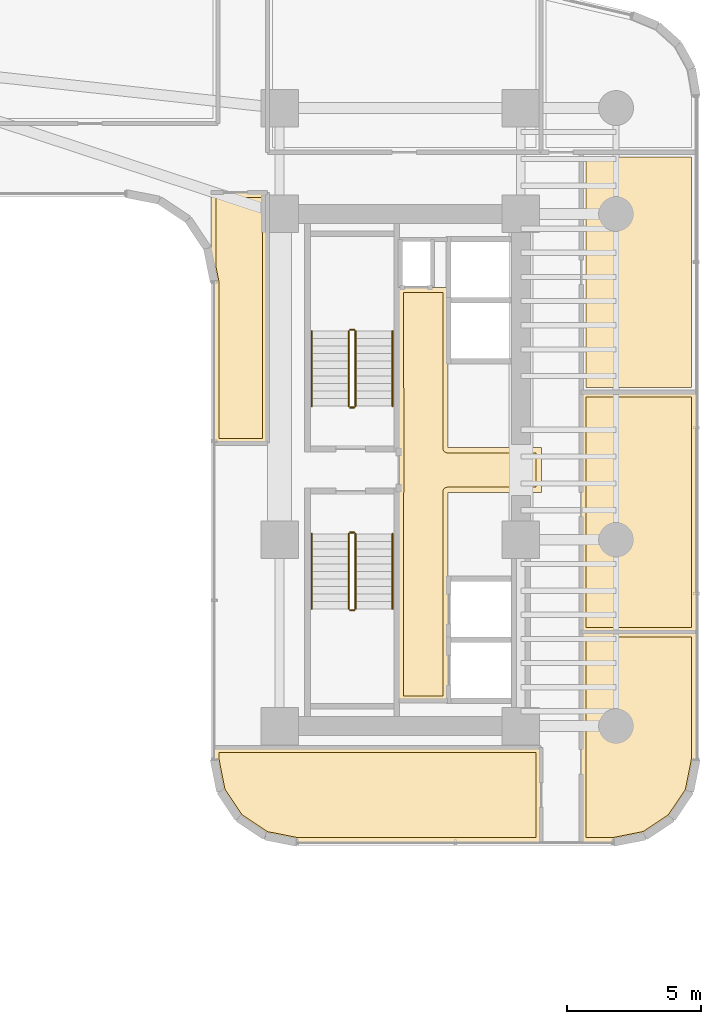
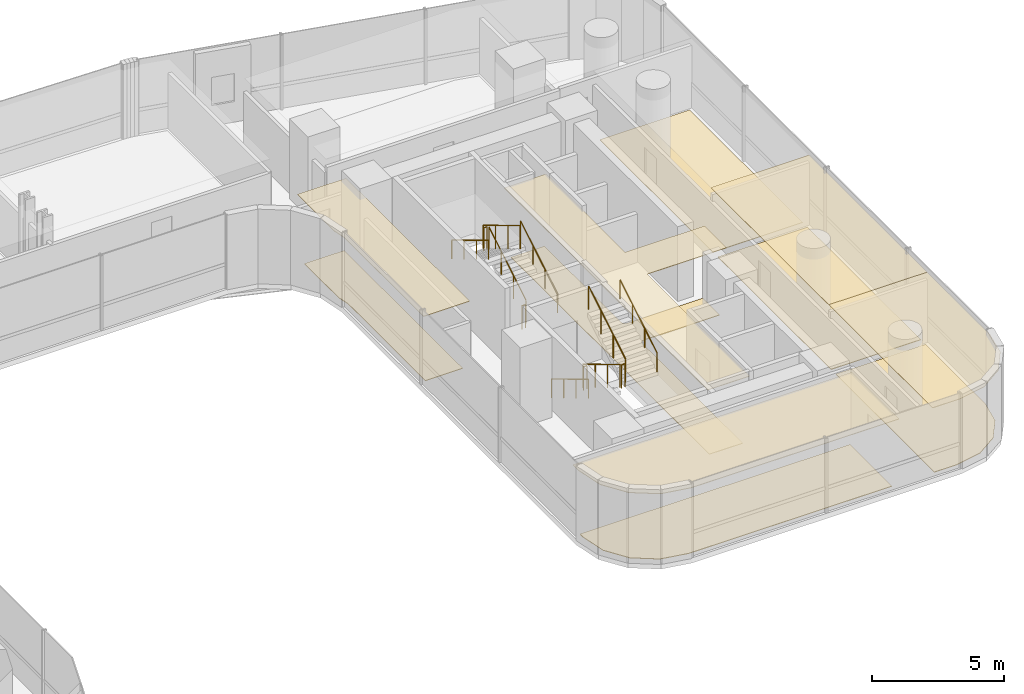
# One storey, part 37 of 38: 12 railings, 11 coverings.
"""IFC4 building model written with IfcOpenShell, lengths in metres."""

from ifc_helpers import new_model, si_unit, direction, frame, origin, origin_2d, place, context, subcontext, project, spatial, polyline, circle, outline, extrude, material, layer, layer_set, type_object, element, save


model = new_model("IFC4")

# Units and contexts
model_context = context("Model", 3, precision=1e-05, world=origin(), true_north=direction((0.0, 1.0)))
body_context = subcontext(model_context, "Body", "Model", "MODEL_VIEW")
ifc_project = project(units=[si_unit("LENGTHUNIT", "METRE"), si_unit("AREAUNIT", "SQUARE_METRE"), si_unit("VOLUMEUNIT", "CUBIC_METRE"), si_unit("PLANEANGLEUNIT", "RADIAN"), si_unit("MASSUNIT", "GRAM", prefix="KILO")], contexts=[model_context])

# Site, building, storey
site_placement = place(None, origin())
site = spatial("IfcSite", under=ifc_project, at=site_placement, CompositionType="ELEMENT")
building_placement = place(site_placement, origin())
building = spatial("IfcBuilding", under=site, at=building_placement, Name="Valdorenza Pilgrim Sanctuary Tower", CompositionType="ELEMENT")
storey_placement = place(building_placement, frame((0.0, 0.0, 37.10009765625)))
storey = spatial("IfcBuildingStorey", under=building, at=storey_placement, Name="L08", CompositionType="ELEMENT", Elevation=37.10009765625)

# Coverings
ifc_material_1 = material(Name="Micro-perforated acoustic mineral ceiling tile", Category="gypsum")
ifc_layer_1 = layer(ifc_material_1, 0.02490234375, Name="Micro-perforated acoustic mineral ceiling tile")
ifc_layer_set_1 = layer_set([ifc_layer_1], Name="Micro-perforated acoustic mineral ceiling tile")
covering_type_1 = type_object("IfcCoveringType", Name="COV-CLG-ACU", PredefinedType="CEILING", material=ifc_layer_set_1)
covering_1_placement = place(storey_placement, frame((0.0, 0.0, 3.159912109375)))
element("IfcCovering", 1, at=covering_1_placement, inside=storey, type_object=covering_type_1, Name="L08 Core B Passenger Lift Lobby Acoustic Ceiling", PredefinedType="CEILING", context=body_context, shape_type="SweptSolid", body=[
    extrude(outline(polyline([(20.287109375, -0.814697265625), (20.287109375, 0.814697265625), (20.28662109375, 0.815185546875), (20.2861328125, 0.81640625), (20.28564453125, 0.81787109375), (20.285400390625, 0.819091796875), (20.28515625, 0.820556640625), (20.284912109375, 0.822021484375), (20.284912109375, 6.800048828125), (20.28515625, 6.801513671875), (20.285400390625, 6.802978515625), (20.28564453125, 6.804443359375), (20.2861328125, 6.8056640625), (20.286865234375, 6.80712890625), (20.28759765625, 6.808349609375), (20.288330078125, 6.8095703125), (20.289306640625, 6.810546875), (20.29052734375, 6.8115234375), (20.291748046875, 6.8125), (20.29296875, 6.813232421875), (20.294189453125, 6.81396484375), (20.295654296875, 6.814453125), (20.297119140625, 6.814697265625), (20.298583984375, 6.81494140625), (20.300048828125, 6.81494140625), (20.347900390625, 6.81494140625), (20.349365234375, 6.81494140625), (20.350830078125, 6.814697265625), (20.352294921875, 6.814453125), (20.353515625, 6.81396484375), (20.35498046875, 6.813232421875), (20.35546875, 6.81298828125), (21.544677734375, 6.81298828125), (21.545166015625, 6.813232421875), (21.54638671875, 6.81396484375), (21.5478515625, 6.814453125), (21.54931640625, 6.814697265625), (21.550537109375, 6.81494140625), (21.552001953125, 6.81494140625), (22.1201171875, 6.81494140625), (22.12158203125, 6.81494140625), (22.122802734375, 6.814697265625), (22.12451171875, 6.814453125), (22.125732421875, 6.81396484375), (22.127197265625, 6.813232421875), (22.12841796875, 6.8125), (22.12939453125, 6.8115234375), (22.130615234375, 6.810546875), (22.131591796875, 6.8095703125), (22.132568359375, 6.808349609375), (22.13330078125, 6.80712890625), (22.1337890625, 6.8056640625), (22.134521484375, 6.804443359375), (22.134765625, 6.802978515625), (22.135009765625, 6.801513671875), (22.135009765625, 6.800048828125), (22.135009765625, 0.8349609375), (25.60009765625, 0.8349609375), (25.6015625, 0.8349609375), (25.602783203125, 0.834716796875), (25.6044921875, 0.83447265625), (25.605712890625, 0.833984375), (25.607177734375, 0.833251953125), (25.6083984375, 0.83251953125), (25.609619140625, 0.83154296875), (25.610595703125, 0.83056640625), (25.611572265625, 0.82958984375), (25.612548828125, 0.828369140625), (25.61328125, 0.8271484375), (25.614013671875, 0.82568359375), (25.614501953125, 0.824462890625), (25.61474609375, 0.822998046875), (25.614990234375, 0.821533203125), (25.614990234375, 0.820068359375), (25.614990234375, -0.820068359375), (25.614990234375, -0.821533203125), (25.61474609375, -0.822998046875), (25.614501953125, -0.824462890625), (25.614013671875, -0.82568359375), (25.61328125, -0.8271484375), (25.612548828125, -0.828369140625), (25.611572265625, -0.82958984375), (25.610595703125, -0.83056640625), (25.609619140625, -0.83154296875), (25.6083984375, -0.83251953125), (25.607177734375, -0.833251953125), (25.605712890625, -0.833984375), (25.6044921875, -0.83447265625), (25.602783203125, -0.834716796875), (25.6015625, -0.8349609375), (25.60009765625, -0.8349609375), (22.135009765625, -0.8349609375), (22.135009765625, -8.60009765625), (22.135009765625, -8.6015625), (22.134765625, -8.602783203125), (22.134521484375, -8.6044921875), (22.1337890625, -8.605712890625), (22.13330078125, -8.607177734375), (22.132568359375, -8.6083984375), (22.131591796875, -8.609619140625), (22.130615234375, -8.610595703125), (22.12939453125, -8.611572265625), (22.12841796875, -8.612548828125), (22.127197265625, -8.61328125), (22.125732421875, -8.614013671875), (22.12451171875, -8.614501953125), (22.122802734375, -8.61474609375), (22.12158203125, -8.614990234375), (22.1201171875, -8.614990234375), (20.300048828125, -8.614990234375), (20.298583984375, -8.614990234375), (20.297119140625, -8.61474609375), (20.295654296875, -8.614501953125), (20.294189453125, -8.614013671875), (20.29296875, -8.61328125), (20.291748046875, -8.612548828125), (20.29052734375, -8.611572265625), (20.289306640625, -8.610595703125), (20.288330078125, -8.609619140625), (20.28759765625, -8.6083984375), (20.286865234375, -8.607177734375), (20.2861328125, -8.605712890625), (20.28564453125, -8.6044921875), (20.285400390625, -8.602783203125), (20.28515625, -8.6015625), (20.284912109375, -8.60009765625), (20.284912109375, -0.822021484375), (20.28515625, -0.820556640625), (20.285400390625, -0.819091796875), (20.28564453125, -0.81787109375), (20.2861328125, -0.81640625), (20.28662109375, -0.815185546875), (20.287109375, -0.814697265625)])), origin(), (0.0, 0.0, 1.0), 0.02490234375),
])
covering_2_placement = place(storey_placement, frame((0.0, 0.0, 3.159912109375)))
element("IfcCovering", 2, at=covering_2_placement, inside=storey, type_object=covering_type_1, Name="L08 Theological Reference Library L08-BS Acoustic Ceiling", PredefinedType="CEILING", context=body_context, shape_type="SweptSolid", body=[
    extrude(outline(polyline([(25.614990234375, -13.889892578125), (25.614990234375, -13.8916015625), (25.61474609375, -13.892822265625), (25.614501953125, -13.894287109375), (25.614013671875, -13.895751953125), (25.61328125, -13.897216796875), (25.612548828125, -13.898193359375), (25.611572265625, -13.8994140625), (25.610595703125, -13.900634765625), (25.609619140625, -13.901611328125), (25.6083984375, -13.902587890625), (25.607177734375, -13.9033203125), (25.605712890625, -13.90380859375), (25.6044921875, -13.904296875), (25.602783203125, -13.90478515625), (25.6015625, -13.90478515625), (25.60009765625, -13.905029296875), (16.5107421875, -13.905029296875), (16.509521484375, -13.90478515625), (16.5078125, -13.90478515625), (15.3154296875, -13.66748046875), (15.31396484375, -13.6669921875), (15.3125, -13.66650390625), (15.311279296875, -13.666015625), (15.31005859375, -13.665283203125), (14.308349609375, -12.995849609375), (14.30712890625, -12.9951171875), (14.305908203125, -12.993896484375), (14.304931640625, -12.992919921875), (14.30419921875, -12.99169921875), (13.634765625, -11.989990234375), (13.634033203125, -11.98876953125), (13.63330078125, -11.9873046875), (13.6328125, -11.986083984375), (13.632568359375, -11.984619140625), (13.395263671875, -10.7919921875), (13.39501953125, -10.79052734375), (13.39501953125, -10.789306640625), (13.39501953125, -10.35009765625), (13.39501953125, -10.348388671875), (13.395263671875, -10.34716796875), (13.3955078125, -10.345703125), (13.39599609375, -10.34423828125), (13.396728515625, -10.343017578125), (13.3974609375, -10.341796875), (13.3984375, -10.340576171875), (13.3994140625, -10.33935546875), (13.400390625, -10.33837890625), (13.401611328125, -10.33740234375), (13.40283203125, -10.3369140625), (13.404296875, -10.336181640625), (13.405517578125, -10.335693359375), (13.406982421875, -10.335205078125), (13.408447265625, -10.335205078125), (13.409912109375, -10.3349609375), (25.60009765625, -10.3349609375), (25.6015625, -10.335205078125), (25.602783203125, -10.335205078125), (25.6044921875, -10.335693359375), (25.605712890625, -10.336181640625), (25.607177734375, -10.3369140625), (25.6083984375, -10.33740234375), (25.609619140625, -10.33837890625), (25.610595703125, -10.33935546875), (25.611572265625, -10.340576171875), (25.612548828125, -10.341796875), (25.61328125, -10.343017578125), (25.614013671875, -10.34423828125), (25.614501953125, -10.345703125), (25.61474609375, -10.34716796875), (25.614990234375, -10.348388671875), (25.614990234375, -10.35009765625), (25.614990234375, -13.889892578125)])), origin(), (0.0, 0.0, 1.0), 0.02490234375),
])
covering_3_placement = place(storey_placement, frame((0.0, 0.0, 3.159912109375)))
element("IfcCovering", 3, at=covering_3_placement, inside=storey, type_object=covering_type_1, Name="L08 Open Plan Scholar Office L08-EB1 Acoustic Ceiling", PredefinedType="CEILING", context=body_context, shape_type="SweptSolid", body=[
    extrude(outline(polyline([(31.389892578125, -6.034912109375), (31.3916015625, -6.03515625), (31.392822265625, -6.035400390625), (31.394287109375, -6.03564453125), (31.395751953125, -6.0361328125), (31.397216796875, -6.036865234375), (31.398193359375, -6.03759765625), (31.3994140625, -6.038330078125), (31.400634765625, -6.039306640625), (31.401611328125, -6.04052734375), (31.402587890625, -6.041748046875), (31.4033203125, -6.04296875), (31.40380859375, -6.044189453125), (31.404296875, -6.045654296875), (31.40478515625, -6.047119140625), (31.40478515625, -6.048583984375), (31.405029296875, -6.050048828125), (31.405029296875, -10.789306640625), (31.40478515625, -10.79052734375), (31.40478515625, -10.7919921875), (31.16748046875, -11.984619140625), (31.1669921875, -11.986083984375), (31.16650390625, -11.9873046875), (31.166015625, -11.98876953125), (31.165283203125, -11.989990234375), (30.495849609375, -12.99169921875), (30.4951171875, -12.992919921875), (30.493896484375, -12.993896484375), (30.492919921875, -12.9951171875), (30.49169921875, -12.995849609375), (29.489990234375, -13.665283203125), (29.48876953125, -13.666015625), (29.4873046875, -13.66650390625), (29.486083984375, -13.6669921875), (29.484619140625, -13.66748046875), (28.2919921875, -13.90478515625), (28.29052734375, -13.90478515625), (28.289306640625, -13.905029296875), (27.10009765625, -13.905029296875), (27.098388671875, -13.90478515625), (27.09716796875, -13.90478515625), (27.095703125, -13.904296875), (27.09423828125, -13.90380859375), (27.093017578125, -13.9033203125), (27.091796875, -13.902587890625), (27.090576171875, -13.901611328125), (27.08935546875, -13.900634765625), (27.08837890625, -13.8994140625), (27.08740234375, -13.898193359375), (27.0869140625, -13.897216796875), (27.086181640625, -13.895751953125), (27.085693359375, -13.894287109375), (27.085205078125, -13.892822265625), (27.085205078125, -13.8916015625), (27.0849609375, -13.889892578125), (27.0849609375, -6.050048828125), (27.085205078125, -6.048583984375), (27.085205078125, -6.047119140625), (27.085693359375, -6.045654296875), (27.086181640625, -6.044189453125), (27.0869140625, -6.04296875), (27.08740234375, -6.041748046875), (27.08837890625, -6.04052734375), (27.08935546875, -6.039306640625), (27.090576171875, -6.038330078125), (27.091796875, -6.03759765625), (27.093017578125, -6.036865234375), (27.09423828125, -6.0361328125), (27.095703125, -6.03564453125), (27.09716796875, -6.035400390625), (27.098388671875, -6.03515625), (27.10009765625, -6.034912109375), (31.389892578125, -6.034912109375)])), origin(), (0.0, 0.0, 1.0), 0.02490234375),
])
covering_4_placement = place(storey_placement, frame((0.0, 0.0, 3.159912109375)))
element("IfcCovering", 4, at=covering_4_placement, inside=storey, type_object=covering_type_1, Name="L08 Open Plan Scholar Office L08-EB2 Acoustic Ceiling", PredefinedType="CEILING", context=body_context, shape_type="SweptSolid", body=[
    extrude(outline(polyline([(27.0849609375, 2.89990234375), (27.085205078125, 2.901611328125), (27.085205078125, 2.90283203125), (27.085693359375, 2.904296875), (27.086181640625, 2.90576171875), (27.0869140625, 2.906982421875), (27.08740234375, 2.908203125), (27.08837890625, 2.909423828125), (27.08935546875, 2.91064453125), (27.090576171875, 2.91162109375), (27.091796875, 2.91259765625), (27.093017578125, 2.9130859375), (27.09423828125, 2.913818359375), (27.095703125, 2.914306640625), (27.09716796875, 2.914794921875), (27.098388671875, 2.914794921875), (27.10009765625, 2.9150390625), (31.389892578125, 2.9150390625), (31.3916015625, 2.914794921875), (31.392822265625, 2.914794921875), (31.394287109375, 2.914306640625), (31.395751953125, 2.913818359375), (31.397216796875, 2.9130859375), (31.398193359375, 2.91259765625), (31.3994140625, 2.91162109375), (31.400634765625, 2.91064453125), (31.401611328125, 2.909423828125), (31.402587890625, 2.908203125), (31.4033203125, 2.906982421875), (31.40380859375, 2.90576171875), (31.404296875, 2.904296875), (31.40478515625, 2.90283203125), (31.40478515625, 2.901611328125), (31.405029296875, 2.89990234375), (31.405029296875, -6.048095703125), (31.40478515625, -6.049560546875), (31.40478515625, -6.05078125), (31.404296875, -6.052490234375), (31.40380859375, -6.0537109375), (31.4033203125, -6.05517578125), (31.402587890625, -6.056396484375), (31.401611328125, -6.0576171875), (31.400634765625, -6.05859375), (31.3994140625, -6.0595703125), (31.398193359375, -6.060546875), (31.397216796875, -6.061279296875), (31.395751953125, -6.06201171875), (31.394287109375, -6.0625), (31.392822265625, -6.062744140625), (31.3916015625, -6.06298828125), (31.389892578125, -6.06298828125), (27.10009765625, -6.06298828125), (27.098388671875, -6.06298828125), (27.09716796875, -6.062744140625), (27.095703125, -6.0625), (27.09423828125, -6.06201171875), (27.093017578125, -6.061279296875), (27.091796875, -6.060546875), (27.090576171875, -6.0595703125), (27.08935546875, -6.05859375), (27.08837890625, -6.0576171875), (27.08740234375, -6.056396484375), (27.0869140625, -6.05517578125), (27.086181640625, -6.0537109375), (27.085693359375, -6.052490234375), (27.085205078125, -6.05078125), (27.085205078125, -6.049560546875), (27.0849609375, -6.048095703125), (27.0849609375, 2.89990234375)])), origin(), (0.0, 0.0, 1.0), 0.02490234375),
])
covering_5_placement = place(storey_placement, frame((0.0, 0.0, 3.159912109375)))
element("IfcCovering", 5, at=covering_5_placement, inside=storey, type_object=covering_type_1, Name="L08 Courtyard Overlook Salon L08 Acoustic Ceiling", PredefinedType="CEILING", context=body_context, shape_type="SweptSolid", body=[
    extrude(outline(polyline([(15.39990234375, 10.364990234375), (15.401611328125, 10.364990234375), (15.40283203125, 10.36474609375), (15.404296875, 10.364501953125), (15.40576171875, 10.364013671875), (15.406982421875, 10.36328125), (15.408203125, 10.362548828125), (15.409423828125, 10.361572265625), (15.41064453125, 10.360595703125), (15.41162109375, 10.359619140625), (15.41259765625, 10.3583984375), (15.4130859375, 10.357177734375), (15.413818359375, 10.355712890625), (15.414306640625, 10.3544921875), (15.414794921875, 10.352783203125), (15.414794921875, 10.3515625), (15.4150390625, 10.35009765625), (15.4150390625, 1.0), (15.414794921875, 0.99853515625), (15.414794921875, 0.9970703125), (15.414306640625, 0.99560546875), (15.413818359375, 0.994384765625), (15.4130859375, 0.992919921875), (15.41259765625, 0.99169921875), (15.41162109375, 0.990478515625), (15.41064453125, 0.989501953125), (15.409423828125, 0.98828125), (15.408203125, 0.987548828125), (15.406982421875, 0.98681640625), (15.40576171875, 0.986083984375), (15.404296875, 0.985595703125), (15.40283203125, 0.9853515625), (15.401611328125, 0.985107421875), (15.39990234375, 0.985107421875), (13.409912109375, 0.985107421875), (13.408447265625, 0.985107421875), (13.406982421875, 0.9853515625), (13.405517578125, 0.985595703125), (13.404296875, 0.986083984375), (13.40283203125, 0.98681640625), (13.401611328125, 0.987548828125), (13.400390625, 0.98828125), (13.3994140625, 0.989501953125), (13.3984375, 0.990478515625), (13.3974609375, 0.99169921875), (13.396728515625, 0.992919921875), (13.39599609375, 0.994384765625), (13.3955078125, 0.99560546875), (13.395263671875, 0.9970703125), (13.39501953125, 0.99853515625), (13.39501953125, 1.0), (13.39501953125, 6.99951171875), (13.39453125, 7.00927734375), (13.39306640625, 7.018798828125), (13.285400390625, 7.560791015625), (13.28515625, 7.562255859375), (13.284912109375, 7.563720703125), (13.284912109375, 10.35009765625), (13.28515625, 10.3515625), (13.285400390625, 10.352783203125), (13.28564453125, 10.3544921875), (13.2861328125, 10.355712890625), (13.286865234375, 10.357177734375), (13.28759765625, 10.3583984375), (13.288330078125, 10.359619140625), (13.289306640625, 10.360595703125), (13.29052734375, 10.361572265625), (13.291748046875, 10.362548828125), (13.29296875, 10.36328125), (13.294189453125, 10.364013671875), (13.295654296875, 10.364501953125), (13.297119140625, 10.36474609375), (13.298583984375, 10.364990234375), (13.300048828125, 10.364990234375), (15.39990234375, 10.364990234375)])), origin(), (0.0, 0.0, 1.0), 0.02490234375),
])
ifc_material_2 = material(Name="Honed travertine stone flooring", Category="masonry")
ifc_layer_2 = layer(ifc_material_2, 0.030029296875, Name="Honed travertine stone flooring")
ifc_layer_set_2 = layer_set([ifc_layer_2], Name="Honed travertine stone flooring")
covering_type_2 = type_object("IfcCoveringType", Name="COV-FLR-TRV", PredefinedType="FLOORING", material=ifc_layer_set_2)
covering_6_placement = place(storey_placement, origin())
element("IfcCovering", 6, at=covering_6_placement, inside=storey, type_object=covering_type_2, Name="L08 Core B Passenger Lift Lobby Flooring", PredefinedType="FLOORING", context=body_context, shape_type="SweptSolid", body=[
    extrude(outline(polyline([(20.47998046875, 6.617919921875), (21.550048828125, 6.617919921875), (21.550537109375, 6.617919921875), (21.93994140625, 6.619384765625), (21.93994140625, 0.820068359375), (21.94091796875, 0.802490234375), (21.943603515625, 0.784912109375), (21.94775390625, 0.767578125), (21.95361328125, 0.751220703125), (21.961181640625, 0.735107421875), (21.97021484375, 0.719970703125), (21.98095703125, 0.705810546875), (21.99267578125, 0.692626953125), (22.005859375, 0.680908203125), (22.02001953125, 0.67041015625), (22.03515625, 0.661376953125), (22.051025390625, 0.65380859375), (22.067626953125, 0.647705078125), (22.0849609375, 0.6435546875), (22.102294921875, 0.640869140625), (22.1201171875, 0.639892578125), (25.419921875, 0.639892578125), (25.419921875, -0.639892578125), (22.1201171875, -0.639892578125), (22.102294921875, -0.640869140625), (22.0849609375, -0.6435546875), (22.067626953125, -0.647705078125), (22.051025390625, -0.65380859375), (22.03515625, -0.661376953125), (22.02001953125, -0.67041015625), (22.005859375, -0.680908203125), (21.99267578125, -0.692626953125), (21.98095703125, -0.705810546875), (21.97021484375, -0.719970703125), (21.961181640625, -0.735107421875), (21.95361328125, -0.751220703125), (21.94775390625, -0.767578125), (21.943603515625, -0.784912109375), (21.94091796875, -0.802490234375), (21.93994140625, -0.820068359375), (21.93994140625, -8.419921875), (20.47998046875, -8.419921875), (20.47998046875, -0.846923828125), (20.47998046875, -0.8466796875), (20.47998046875, -0.8466796875), (20.481689453125, -0.8291015625), (20.481689453125, -0.828857421875), (20.48193359375, -0.820068359375), (20.48193359375, 0.820068359375), (20.47998046875, 6.617919921875)])), origin(), (0.0, 0.0, 1.0), 0.02490234375),
])
covering_7_placement = place(storey_placement, origin())
element("IfcCovering", 7, at=covering_7_placement, inside=storey, type_object=covering_type_2, Name="L08 Theological Reference Library L08-BS Flooring", PredefinedType="FLOORING", context=body_context, shape_type="SweptSolid", body=[
    extrude(outline(polyline([(25.419921875, -13.7099609375), (16.528564453125, -13.7099609375), (15.388671875, -13.483154296875), (14.4462890625, -12.853515625), (13.81689453125, -11.911376953125), (13.590087890625, -10.771484375), (13.590087890625, -10.530029296875), (25.419921875, -10.530029296875), (25.419921875, -13.7099609375)])), origin(), (0.0, 0.0, 1.0), 0.02490234375),
])
covering_8_placement = place(storey_placement, origin())
element("IfcCovering", 8, at=covering_8_placement, inside=storey, type_object=covering_type_2, Name="L08 Open Plan Scholar Office L08-EB1 Flooring", PredefinedType="FLOORING", context=body_context, shape_type="SweptSolid", body=[
    extrude(outline(polyline([(31.2099609375, -6.22998046875), (31.2099609375, -10.771484375), (30.983154296875, -11.911376953125), (30.353515625, -12.853515625), (29.411376953125, -13.483154296875), (28.271484375, -13.7099609375), (27.280029296875, -13.7099609375), (27.280029296875, -6.22998046875), (31.2099609375, -6.22998046875)])), origin(), (0.0, 0.0, 1.0), 0.02490234375),
])
covering_9_placement = place(storey_placement, origin())
element("IfcCovering", 9, at=covering_9_placement, inside=storey, type_object=covering_type_2, Name="L08 Open Plan Scholar Office L08-EB2 Flooring", PredefinedType="FLOORING", context=body_context, shape_type="SweptSolid", body=[
    extrude(outline(polyline([(27.280029296875, 2.719970703125), (31.2099609375, 2.719970703125), (31.2099609375, -5.867919921875), (27.280029296875, -5.867919921875), (27.280029296875, 2.719970703125)])), origin(), (0.0, 0.0, 1.0), 0.02490234375),
])
covering_10_placement = place(storey_placement, origin())
element("IfcCovering", 10, at=covering_10_placement, inside=storey, type_object=covering_type_2, Name="L08 Open Plan Scholar Office L08-EB3 Flooring", PredefinedType="FLOORING", context=body_context, shape_type="SweptSolid", body=[
    extrude(outline(polyline([(27.280029296875, 11.66796875), (31.2099609375, 11.66796875), (31.2099609375, 3.08203125), (27.280029296875, 3.08203125), (27.280029296875, 11.66796875)])), origin(), (0.0, 0.0, 1.0), 0.02490234375),
])
covering_11_placement = place(storey_placement, origin())
element("IfcCovering", 11, at=covering_11_placement, inside=storey, type_object=covering_type_2, Name="L08 Courtyard Overlook Salon L08 Flooring", PredefinedType="FLOORING", context=body_context, shape_type="SweptSolid", body=[
    extrude(outline(polyline([(15.219970703125, 10.169921875), (15.219970703125, 1.179931640625), (13.590087890625, 1.179931640625), (13.590087890625, 7.0), (13.58984375, 7.0087890625), (13.58935546875, 7.01953125), (13.58740234375, 7.037109375), (13.5859375, 7.0478515625), (13.58447265625, 7.056640625), (13.47998046875, 7.58154296875), (13.47998046875, 10.169921875), (15.219970703125, 10.169921875)])), origin(), (0.0, 0.0, 1.0), 0.02490234375),
])

# Railings
ifc_material_3 = material(Name="Stainless steel Grade 316", Category="steel")
railing_type_1 = type_object("IfcRailingType", Name="RLG-GRD-1120", PredefinedType="GUARDRAIL", material=ifc_material_3)
railing_1_placement = place(storey_placement, frame((18.679931640625, 2.3798828125, 0.16796875)))
element("IfcRailing", 12, at=railing_1_placement, inside=storey, type_object=railing_type_1, Name="L08 ST-B1 stair guard 1", PredefinedType="GUARDRAIL", context=body_context, shape_type="SweptSolid", body=[
    extrude(circle(Radius=0.02392578125, at=origin_2d()), frame((0.0, 0.0, 1.076171875), z_axis=(0.0, 0.857242210791, 0.514913383045), x_axis=(-1.0, 0.0, 0.0)), (0.0, 0.0, 1.0), 3.266357421875),
    extrude(circle(Radius=0.02099609375, at=origin_2d()), origin(), (0.0, 0.0, 1.0), 1.052001953125),
    extrude(circle(Radius=0.02099609375, at=origin_2d()), frame((0.0, 0.933349609375, 0.560546875)), (0.0, 0.0, 1.0), 1.052001953125),
    extrude(circle(Radius=0.02099609375, at=origin_2d()), frame((0.0, 1.86669921875, 1.121337890625)), (0.0, 0.0, 1.0), 1.052001953125),
    extrude(circle(Radius=0.02099609375, at=origin_2d()), frame((0.0, 2.800048828125, 1.681884765625)), (0.0, 0.0, 1.0), 1.052001953125),
])
railing_2_placement = place(storey_placement, frame((18.6298828125, 5.22998046875, 1.849853515625)))
element("IfcRailing", 13, at=railing_2_placement, inside=storey, type_object=railing_type_1, Name="L08 ST-B1 stair guard 2", PredefinedType="GUARDRAIL", context=body_context, shape_type="SweptSolid", body=[
    extrude(circle(Radius=0.02392578125, at=origin_2d()), frame((0.0, 0.0, 1.076171875), z_axis=(-1.0, 0.0, 0.0), x_axis=(0.0, -1.0, 0.0)), (0.0, 0.0, 1.0), 0.14990234375),
    extrude(circle(Radius=0.02099609375, at=origin_2d()), origin(), (0.0, 0.0, 1.0), 1.052001953125),
    extrude(circle(Radius=0.02099609375, at=origin_2d()), frame((-0.14990234375, 0.0, 0.0)), (0.0, 0.0, 1.0), 1.052001953125),
])
railing_3_placement = place(storey_placement, frame((18.429931640625, 5.179931640625, 2.01806640625)))
element("IfcRailing", 14, at=railing_3_placement, inside=storey, type_object=railing_type_1, Name="L08 ST-B1 stair guard 3", PredefinedType="GUARDRAIL", context=body_context, shape_type="SweptSolid", body=[
    extrude(circle(Radius=0.02392578125, at=origin_2d()), frame((0.0, 0.0, 1.076171875), z_axis=(0.0, -0.857242210791, 0.514913383045), x_axis=(1.0, 0.0, 0.0)), (0.0, 0.0, 1.0), 3.266357421875),
    extrude(circle(Radius=0.02099609375, at=origin_2d()), origin(), (0.0, 0.0, 1.0), 1.052001953125),
    extrude(circle(Radius=0.02099609375, at=origin_2d()), frame((0.0, -0.933349609375, 0.560546875)), (0.0, 0.0, 1.0), 1.052001953125),
    extrude(circle(Radius=0.02099609375, at=origin_2d()), frame((0.0, -1.86669921875, 1.121337890625)), (0.0, 0.0, 1.0), 1.052001953125),
    extrude(circle(Radius=0.02099609375, at=origin_2d()), frame((0.0, -2.800048828125, 1.681884765625)), (0.0, 0.0, 1.0), 1.052001953125),
])
railing_4_placement = place(storey_placement, frame((18.6298828125, 2.330078125, 0.0)))
element("IfcRailing", 15, at=railing_4_placement, inside=storey, type_object=railing_type_1, Name="L08 ST-B1 stair guard 4", PredefinedType="GUARDRAIL", context=body_context, shape_type="SweptSolid", body=[
    extrude(circle(Radius=0.02392578125, at=origin_2d()), frame((0.0, 0.0, 1.076171875), z_axis=(-1.0, 0.0, 0.0), x_axis=(0.0, -1.0, 0.0)), (0.0, 0.0, 1.0), 0.14990234375),
    extrude(circle(Radius=0.02099609375, at=origin_2d()), origin(), (0.0, 0.0, 1.0), 1.052001953125),
    extrude(circle(Radius=0.02099609375, at=origin_2d()), frame((-0.14990234375, 0.0, 0.0)), (0.0, 0.0, 1.0), 1.052001953125),
])
railing_5_placement = place(storey_placement, frame((18.429931640625, -2.3798828125, 0.16796875)))
element("IfcRailing", 16, at=railing_5_placement, inside=storey, type_object=railing_type_1, Name="L08 ST-B2 stair guard 1", PredefinedType="GUARDRAIL", context=body_context, shape_type="SweptSolid", body=[
    extrude(circle(Radius=0.02392578125, at=origin_2d()), frame((0.0, 0.0, 1.076171875), z_axis=(0.0, -0.857242210791, 0.514913383045), x_axis=(1.0, 0.0, 0.0)), (0.0, 0.0, 1.0), 3.266357421875),
    extrude(circle(Radius=0.02099609375, at=origin_2d()), origin(), (0.0, 0.0, 1.0), 1.052001953125),
    extrude(circle(Radius=0.02099609375, at=origin_2d()), frame((0.0, -0.933349609375, 0.560546875)), (0.0, 0.0, 1.0), 1.052001953125),
    extrude(circle(Radius=0.02099609375, at=origin_2d()), frame((0.0, -1.86669921875, 1.121337890625)), (0.0, 0.0, 1.0), 1.052001953125),
    extrude(circle(Radius=0.02099609375, at=origin_2d()), frame((0.0, -2.800048828125, 1.681884765625)), (0.0, 0.0, 1.0), 1.052001953125),
])
railing_6_placement = place(storey_placement, frame((18.47998046875, -5.22998046875, 1.849853515625)))
element("IfcRailing", 17, at=railing_6_placement, inside=storey, type_object=railing_type_1, Name="L08 ST-B2 stair guard 2", PredefinedType="GUARDRAIL", context=body_context, shape_type="SweptSolid", body=[
    extrude(circle(Radius=0.02392578125, at=origin_2d()), frame((0.0, 0.0, 1.076171875), z_axis=(1.0, 0.0, 0.0), x_axis=(0.0, 1.0, 0.0)), (0.0, 0.0, 1.0), 0.14990234375),
    extrude(circle(Radius=0.02099609375, at=origin_2d()), origin(), (0.0, 0.0, 1.0), 1.052001953125),
    extrude(circle(Radius=0.02099609375, at=origin_2d()), frame((0.14990234375, 0.0, 0.0)), (0.0, 0.0, 1.0), 1.052001953125),
])
railing_7_placement = place(storey_placement, frame((18.679931640625, -5.179931640625, 2.01806640625)))
element("IfcRailing", 18, at=railing_7_placement, inside=storey, type_object=railing_type_1, Name="L08 ST-B2 stair guard 3", PredefinedType="GUARDRAIL", context=body_context, shape_type="SweptSolid", body=[
    extrude(circle(Radius=0.02392578125, at=origin_2d()), frame((0.0, 0.0, 1.076171875), z_axis=(0.0, 0.857242210791, 0.514913383045), x_axis=(-1.0, 0.0, 0.0)), (0.0, 0.0, 1.0), 3.266357421875),
    extrude(circle(Radius=0.02099609375, at=origin_2d()), origin(), (0.0, 0.0, 1.0), 1.052001953125),
    extrude(circle(Radius=0.02099609375, at=origin_2d()), frame((0.0, 0.933349609375, 0.560546875)), (0.0, 0.0, 1.0), 1.052001953125),
    extrude(circle(Radius=0.02099609375, at=origin_2d()), frame((0.0, 1.86669921875, 1.121337890625)), (0.0, 0.0, 1.0), 1.052001953125),
    extrude(circle(Radius=0.02099609375, at=origin_2d()), frame((0.0, 2.800048828125, 1.681884765625)), (0.0, 0.0, 1.0), 1.052001953125),
])
railing_8_placement = place(storey_placement, frame((18.47998046875, -2.330078125, 0.0)))
element("IfcRailing", 19, at=railing_8_placement, inside=storey, type_object=railing_type_1, Name="L08 ST-B2 stair guard 4", PredefinedType="GUARDRAIL", context=body_context, shape_type="SweptSolid", body=[
    extrude(circle(Radius=0.02392578125, at=origin_2d()), frame((0.0, 0.0, 1.076171875), z_axis=(1.0, 0.0, 0.0), x_axis=(0.0, 1.0, 0.0)), (0.0, 0.0, 1.0), 0.14990234375),
    extrude(circle(Radius=0.02099609375, at=origin_2d()), origin(), (0.0, 0.0, 1.0), 1.052001953125),
    extrude(circle(Radius=0.02099609375, at=origin_2d()), frame((0.14990234375, 0.0, 0.0)), (0.0, 0.0, 1.0), 1.052001953125),
])
ifc_material_4 = material(Name="Brushed stainless steel Grade 316", Category="steel")
railing_type_2 = type_object("IfcRailingType", Name="RLG-HND-920", PredefinedType="HANDRAIL", material=ifc_material_4)
railing_9_placement = place(storey_placement, frame((20.06005859375, 2.3798828125, 0.16796875)))
element("IfcRailing", 20, at=railing_9_placement, inside=storey, type_object=railing_type_2, Name="L08 ST-B1 stair handrail 1", PredefinedType="HANDRAIL", context=body_context, shape_type="SweptSolid", body=[
    extrude(circle(Radius=0.02392578125, at=origin_2d()), frame((0.0, 0.0, 0.8759765625), z_axis=(0.0, 0.857242210791, 0.514913383045), x_axis=(-1.0, 0.0, 0.0)), (0.0, 0.0, 1.0), 3.266357421875),
    extrude(circle(Radius=0.02099609375, at=origin_2d()), origin(), (0.0, 0.0, 1.0), 0.851806640625),
    extrude(circle(Radius=0.02099609375, at=origin_2d()), frame((0.0, 0.933349609375, 0.560546875)), (0.0, 0.0, 1.0), 0.851806640625),
    extrude(circle(Radius=0.02099609375, at=origin_2d()), frame((0.0, 1.86669921875, 1.121337890625)), (0.0, 0.0, 1.0), 0.851806640625),
    extrude(circle(Radius=0.02099609375, at=origin_2d()), frame((0.0, 2.800048828125, 1.681884765625)), (0.0, 0.0, 1.0), 0.851806640625),
])
for number, where, name in (
    (21, (17.050048828125, 5.179931640625, 2.01806640625), "L08 ST-B1 stair handrail 2"),
    (22, (17.050048828125, -2.3798828125, 0.16796875), "L08 ST-B2 stair handrail 1"),
):
    element("IfcRailing", number, at=place(storey_placement, frame(where)), inside=storey, type_object=railing_type_2, Name=name, PredefinedType="HANDRAIL", context=body_context, shape_type="SweptSolid", body=[
        extrude(circle(Radius=0.02392578125, at=origin_2d()), frame((0.0, 0.0, 0.8759765625), z_axis=(0.0, -0.857242210791, 0.514913383045), x_axis=(1.0, 0.0, 0.0)), (0.0, 0.0, 1.0), 3.266357421875),
        extrude(circle(Radius=0.02099609375, at=origin_2d()), origin(), (0.0, 0.0, 1.0), 0.851806640625),
        extrude(circle(Radius=0.02099609375, at=origin_2d()), frame((0.0, -0.933349609375, 0.560546875)), (0.0, 0.0, 1.0), 0.851806640625),
        extrude(circle(Radius=0.02099609375, at=origin_2d()), frame((0.0, -1.86669921875, 1.121337890625)), (0.0, 0.0, 1.0), 0.851806640625),
        extrude(circle(Radius=0.02099609375, at=origin_2d()), frame((0.0, -2.800048828125, 1.681884765625)), (0.0, 0.0, 1.0), 0.851806640625),
    ])
railing_10_placement = place(storey_placement, frame((20.06005859375, -5.179931640625, 2.01806640625)))
element("IfcRailing", 23, at=railing_10_placement, inside=storey, type_object=railing_type_2, Name="L08 ST-B2 stair handrail 2", PredefinedType="HANDRAIL", context=body_context, shape_type="SweptSolid", body=[
    extrude(circle(Radius=0.02392578125, at=origin_2d()), frame((0.0, 0.0, 0.8759765625), z_axis=(0.0, 0.857242210791, 0.514913383045), x_axis=(-1.0, 0.0, 0.0)), (0.0, 0.0, 1.0), 3.266357421875),
    extrude(circle(Radius=0.02099609375, at=origin_2d()), origin(), (0.0, 0.0, 1.0), 0.851806640625),
    extrude(circle(Radius=0.02099609375, at=origin_2d()), frame((0.0, 0.933349609375, 0.560546875)), (0.0, 0.0, 1.0), 0.851806640625),
    extrude(circle(Radius=0.02099609375, at=origin_2d()), frame((0.0, 1.86669921875, 1.121337890625)), (0.0, 0.0, 1.0), 0.851806640625),
    extrude(circle(Radius=0.02099609375, at=origin_2d()), frame((0.0, 2.800048828125, 1.681884765625)), (0.0, 0.0, 1.0), 0.851806640625),
])

save(model, "model.ifc")
